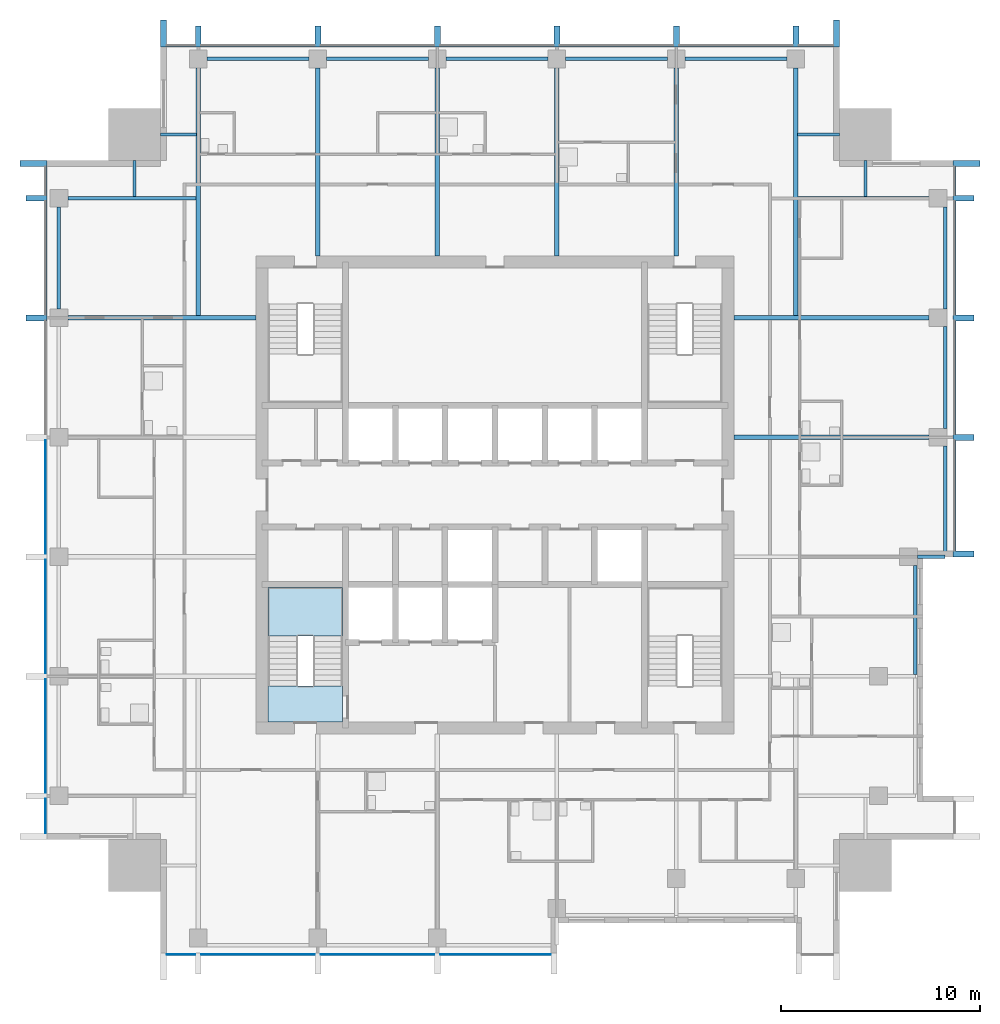
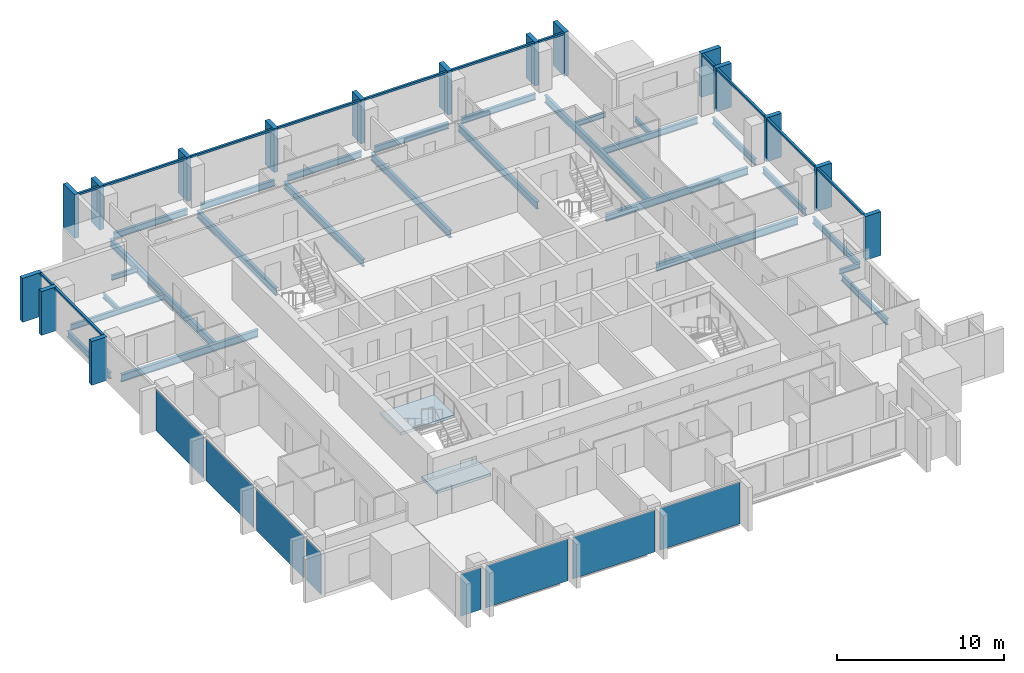
# One storey, part 2 of 10: 29 members, 26 beams, 8 plates, 2 slabs, 5 elements without a shape of their own.
"""IFC4 building model written with IfcOpenShell, lengths in metres."""

from ifc_helpers import new_model, si_unit, direction, frame, origin, origin_2d, place, context, subcontext, project, spatial, polyline, rectangle, i_section, outline, extrude, material, layer, layer_set, material_profile, profile_set, type_object, element, aggregate, save


model = new_model("IFC4")

# Units and contexts
model_context = context("Model", 3, precision=1e-05, world=origin(), true_north=direction((0.0, 1.0)))
body_context = subcontext(model_context, "Body", "Model", "MODEL_VIEW")
ifc_project = project(units=[si_unit("LENGTHUNIT", "METRE"), si_unit("AREAUNIT", "SQUARE_METRE"), si_unit("VOLUMEUNIT", "CUBIC_METRE"), si_unit("PLANEANGLEUNIT", "RADIAN"), si_unit("MASSUNIT", "GRAM", prefix="KILO")], contexts=[model_context])

# Site, building, storey
site_placement = place(None, origin())
site = spatial("IfcSite", under=ifc_project, at=site_placement, CompositionType="ELEMENT")
building_placement = place(site_placement, origin())
building = spatial("IfcBuilding", under=site, at=building_placement, Name="Amberfall Residences", CompositionType="ELEMENT")
storey_placement = place(building_placement, frame((0.0, 0.0, 226.60009765625)))
storey = spatial("IfcBuildingStorey", under=building, at=storey_placement, Name="L61", CompositionType="ELEMENT", Elevation=226.60009765625)

# Curtain wall, members
ifc_material_1 = material(Name="Bronze anodised aluminium and glass", Category="aluminium")
curtain_wall_type = type_object("IfcCurtainWallType", Name="Curtain wall CW1 tower unit", PredefinedType="USERDEFINED", material=ifc_material_1)
curtain_wall_1_placement = place(storey_placement, origin())
curtain_wall_1 = element("IfcCurtainWall", 1, at=curtain_wall_1_placement, inside=storey, type_object=curtain_wall_type, Name="Curtain wall L61 E E6", ObjectType="UNITISED CURTAIN WALL", PredefinedType="USERDEFINED")
ifc_material_2 = material(Name="Bronze anodised aluminium", Category="aluminium")
ifc_material_profile_1 = material_profile(ifc_material_2, rectangle(XDim=0.14990234375, YDim=0.14990234375, at=origin_2d()), Name="CW1 transom 150 x 150 bronze")
ifc_profile_set_1 = profile_set([ifc_material_profile_1], Name="Bronze anodised aluminium")
member_type_1 = type_object("IfcMemberType", Name="CW1 transom 150 x 150 bronze", PredefinedType="USERDEFINED", material=ifc_profile_set_1)
member_1_placement = place(storey_placement, frame((97.574951171875, 42.699951171875, 2.875), z_axis=(0.0, 1.0, 0.0), x_axis=(-1.0, 0.0, 0.0)))
member_1 = element("IfcMember", 2, at=member_1_placement, type_object=member_type_1, Name="CW1 transom 1.1", ObjectType="TRANSOM", PredefinedType="USERDEFINED", context=body_context, shape_type="SweptSolid", body=[
    extrude(rectangle(XDim=0.14990234375, YDim=0.14990234375, at=origin_2d()), origin(), (0.0, 0.0, 1.0), 5.550048828125),
])
member_2_placement = place(storey_placement, frame((97.574951171875, 48.550048828125, 2.875), z_axis=(0.0, 1.0, 0.0), x_axis=(-1.0, 0.0, 0.0)))
member_2 = element("IfcMember", 3, at=member_2_placement, type_object=member_type_1, Name="CW1 transom 2.1", ObjectType="TRANSOM", PredefinedType="USERDEFINED", context=body_context, shape_type="SweptSolid", body=[
    extrude(rectangle(XDim=0.14990234375, YDim=0.14990234375, at=origin_2d()), origin(), (0.0, 0.0, 1.0), 5.699951171875),
])
member_3_placement = place(storey_placement, frame((97.574951171875, 54.550048828125, 2.875), z_axis=(0.0, 1.0, 0.0), x_axis=(-1.0, 0.0, 0.0)))
member_3 = element("IfcMember", 4, at=member_3_placement, type_object=member_type_1, Name="CW1 transom 3.1", ObjectType="TRANSOM", PredefinedType="USERDEFINED", context=body_context, shape_type="SweptSolid", body=[
    extrude(rectangle(XDim=0.14990234375, YDim=0.14990234375, at=origin_2d()), origin(), (0.0, 0.0, 1.0), 5.699951171875),
])
member_4_placement = place(storey_placement, frame((97.574951171875, 60.550048828125, 2.875), z_axis=(0.0, 1.0, 0.0), x_axis=(-1.0, 0.0, 0.0)))
member_4 = element("IfcMember", 5, at=member_4_placement, type_object=member_type_1, Name="CW1 transom 4.1", ObjectType="TRANSOM", PredefinedType="USERDEFINED", context=body_context, shape_type="SweptSolid", body=[
    extrude(rectangle(XDim=0.14990234375, YDim=0.14990234375, at=origin_2d()), origin(), (0.0, 0.0, 1.0), 1.449951171875),
])

curtain_wall_2_placement = place(storey_placement, origin())
curtain_wall_2 = element("IfcCurtainWall", 6, at=curtain_wall_2_placement, inside=storey, type_object=curtain_wall_type, Name="Curtain wall L61 N N1", ObjectType="UNITISED CURTAIN WALL", PredefinedType="USERDEFINED")
member_5_placement = place(storey_placement, frame((91.5, 68.074951171875, 2.875), z_axis=(-1.0, 0.0, 0.0), x_axis=(0.0, -1.0, 0.0)))
member_5 = element("IfcMember", 7, at=member_5_placement, type_object=member_type_1, Name="CW1 transom 1.1", ObjectType="TRANSOM", PredefinedType="USERDEFINED", context=body_context, shape_type="SweptSolid", body=[
    extrude(rectangle(XDim=0.14990234375, YDim=0.14990234375, at=origin_2d()), origin(), (0.0, 0.0, 1.0), 1.75),
])
member_6_placement = place(storey_placement, frame((89.449951171875, 68.074951171875, 2.875), z_axis=(-1.0, 0.0, 0.0), x_axis=(0.0, -1.0, 0.0)))
member_6 = element("IfcMember", 8, at=member_6_placement, type_object=member_type_1, Name="CW1 transom 2.1", ObjectType="TRANSOM", PredefinedType="USERDEFINED", context=body_context, shape_type="SweptSolid", body=[
    extrude(rectangle(XDim=0.14990234375, YDim=0.14990234375, at=origin_2d()), origin(), (0.0, 0.0, 1.0), 5.699951171875),
])
member_7_placement = place(storey_placement, frame((83.449951171875, 68.074951171875, 2.875), z_axis=(-1.0, 0.0, 0.0), x_axis=(0.0, -1.0, 0.0)))
member_7 = element("IfcMember", 9, at=member_7_placement, type_object=member_type_1, Name="CW1 transom 3.1", ObjectType="TRANSOM", PredefinedType="USERDEFINED", context=body_context, shape_type="SweptSolid", body=[
    extrude(rectangle(XDim=0.14990234375, YDim=0.14990234375, at=origin_2d()), origin(), (0.0, 0.0, 1.0), 5.699951171875),
])
member_8_placement = place(storey_placement, frame((77.449951171875, 68.074951171875, 2.875), z_axis=(-1.0, 0.0, 0.0), x_axis=(0.0, -1.0, 0.0)))
member_8 = element("IfcMember", 10, at=member_8_placement, type_object=member_type_1, Name="CW1 transom 4.1", ObjectType="TRANSOM", PredefinedType="USERDEFINED", context=body_context, shape_type="SweptSolid", body=[
    extrude(rectangle(XDim=0.14990234375, YDim=0.14990234375, at=origin_2d()), origin(), (0.0, 0.0, 1.0), 5.699951171875),
])
member_9_placement = place(storey_placement, frame((71.449951171875, 68.074951171875, 2.875), z_axis=(-1.0, 0.0, 0.0), x_axis=(0.0, -1.0, 0.0)))
member_9 = element("IfcMember", 11, at=member_9_placement, type_object=member_type_1, Name="CW1 transom 5.1", ObjectType="TRANSOM", PredefinedType="USERDEFINED", context=body_context, shape_type="SweptSolid", body=[
    extrude(rectangle(XDim=0.14990234375, YDim=0.14990234375, at=origin_2d()), origin(), (0.0, 0.0, 1.0), 5.699951171875),
])
member_10_placement = place(storey_placement, frame((65.449951171875, 68.074951171875, 2.875), z_axis=(-1.0, 0.0, 0.0), x_axis=(0.0, -1.0, 0.0)))
member_10 = element("IfcMember", 12, at=member_10_placement, type_object=member_type_1, Name="CW1 transom 6.1", ObjectType="TRANSOM", PredefinedType="USERDEFINED", context=body_context, shape_type="SweptSolid", body=[
    extrude(rectangle(XDim=0.14990234375, YDim=0.14990234375, at=origin_2d()), origin(), (0.0, 0.0, 1.0), 5.699951171875),
])
member_11_placement = place(storey_placement, frame((59.449951171875, 68.074951171875, 2.875), z_axis=(-1.0, 0.0, 0.0), x_axis=(0.0, -1.0, 0.0)))
member_11 = element("IfcMember", 13, at=member_11_placement, type_object=member_type_1, Name="CW1 transom 7.1", ObjectType="TRANSOM", PredefinedType="USERDEFINED", context=body_context, shape_type="SweptSolid", body=[
    extrude(rectangle(XDim=0.14990234375, YDim=0.14990234375, at=origin_2d()), origin(), (0.0, 0.0, 1.0), 1.449951171875),
])

curtain_wall_3_placement = place(storey_placement, origin())
curtain_wall_3 = element("IfcCurtainWall", 14, at=curtain_wall_3_placement, inside=storey, type_object=curtain_wall_type, Name="Curtain wall L61 W W1", ObjectType="UNITISED CURTAIN WALL", PredefinedType="USERDEFINED")
member_12_placement = place(storey_placement, frame((51.925048828125, 62.0, 2.875), z_axis=(0.0, -1.0, 0.0), x_axis=(1.0, 0.0, 0.0)))
member_12 = element("IfcMember", 15, at=member_12_placement, type_object=member_type_1, Name="CW1 transom 1.1", ObjectType="TRANSOM", PredefinedType="USERDEFINED", context=body_context, shape_type="SweptSolid", body=[
    extrude(rectangle(XDim=0.14990234375, YDim=0.14990234375, at=origin_2d()), origin(), (0.0, 0.0, 1.0), 1.449951171875),
])
member_13_placement = place(storey_placement, frame((51.925048828125, 60.25, 2.875), z_axis=(0.0, -1.0, 0.0), x_axis=(1.0, 0.0, 0.0)))
member_13 = element("IfcMember", 16, at=member_13_placement, type_object=member_type_1, Name="CW1 transom 2.1", ObjectType="TRANSOM", PredefinedType="USERDEFINED", context=body_context, shape_type="SweptSolid", body=[
    extrude(rectangle(XDim=0.14990234375, YDim=0.14990234375, at=origin_2d()), origin(), (0.0, 0.0, 1.0), 5.699951171875),
])

# Beam
ifc_material_3 = material(Name="Steel S355", Category="steel")
ifc_material_profile_2 = material_profile(ifc_material_3, i_section(OverallWidth=0.171142578125, OverallDepth=0.351318359375, WebThickness=0.007080078125, FlangeThickness=0.009765625, FilletRadius=0.01025390625, at=origin_2d()), Name="UB 356x171x45")
ifc_profile_set_2 = profile_set([ifc_material_profile_2], Name="Steel S355")
beam_type_1 = type_object("IfcBeamType", Name="Cantilever girder UB 356x171x45", PredefinedType="BEAM", material=ifc_profile_set_2)
beam_1_placement = place(storey_placement, frame((95.699951171875, 42.39990234375, -0.42578125), z_axis=(1.0, 0.0, 0.0), x_axis=(0.0, 1.0, 0.0)))
element("IfcBeam", 17, at=beam_1_placement, inside=storey, type_object=beam_type_1, Name="Cantilever girder B8 L61 22", PredefinedType="BEAM", context=body_context, shape_type="SweptSolid", body=[
    extrude(i_section(OverallWidth=0.171142578125, OverallDepth=0.351318359375, WebThickness=0.007080078125, FlangeThickness=0.009765625, FilletRadius=0.01025390625, at=origin_2d()), origin(), (0.0, 0.0, 1.0), 1.400146484375),
])

# Member
ifc_material_profile_3 = material_profile(ifc_material_2, rectangle(XDim=1.35009765625, YDim=0.300048828125, at=origin_2d()), Name="Corner fin 300 x 1350 bronze")
ifc_profile_set_3 = profile_set([ifc_material_profile_3], Name="Bronze anodised aluminium")
member_type_2 = type_object("IfcMemberType", Name="Corner fin 300 x 1350 bronze", PredefinedType="MULLION", material=ifc_profile_set_3)
member_14_placement = place(storey_placement, frame((98.175048828125, 62.14990234375, -0.25), z_axis=(0.0, 0.0, 1.0), x_axis=(-1.0, 0.0, 0.0)))
member_14 = element("IfcMember", 18, at=member_14_placement, type_object=member_type_2, Name="CW FIN 5", PredefinedType="MULLION", context=body_context, shape_type="SweptSolid", body=[
    extrude(rectangle(XDim=1.35009765625, YDim=0.300048828125, at=origin_2d()), origin(), (0.0, 0.0, 1.0), 3.199951171875),
])

member_15_placement = place(storey_placement, frame((91.64990234375, 68.675048828125, -0.25), z_axis=(0.0, 0.0, 1.0), x_axis=(0.0, -1.0, 0.0)))
member_15 = element("IfcMember", 19, at=member_15_placement, type_object=member_type_2, Name="CW FIN 1", PredefinedType="MULLION", context=body_context, shape_type="SweptSolid", body=[
    extrude(rectangle(XDim=1.35009765625, YDim=0.300048828125, at=origin_2d()), origin(), (0.0, 0.0, 1.0), 3.199951171875),
])

member_16_placement = place(storey_placement, frame((57.85009765625, 68.675048828125, -0.25), z_axis=(0.0, 0.0, 1.0), x_axis=(0.0, -1.0, 0.0)))
member_16 = element("IfcMember", 20, at=member_16_placement, type_object=member_type_2, Name="CW FIN 8", PredefinedType="MULLION", context=body_context, shape_type="SweptSolid", body=[
    extrude(rectangle(XDim=1.35009765625, YDim=0.300048828125, at=origin_2d()), origin(), (0.0, 0.0, 1.0), 3.199951171875),
])

member_17_placement = place(storey_placement, frame((51.324951171875, 62.14990234375, -0.25), z_axis=(0.0, 0.0, 1.0), x_axis=(1.0, 0.0, 0.0)))
member_17 = element("IfcMember", 21, at=member_17_placement, type_object=member_type_2, Name="CW FIN 1", PredefinedType="MULLION", context=body_context, shape_type="SweptSolid", body=[
    extrude(rectangle(XDim=1.35009765625, YDim=0.300048828125, at=origin_2d()), origin(), (0.0, 0.0, 1.0), 3.199951171875),
])

# Beams
ifc_material_profile_4 = material_profile(ifc_material_3, i_section(OverallWidth=0.18994140625, OverallDepth=0.453369140625, WebThickness=0.008544921875, FlangeThickness=0.0126953125, FilletRadius=0.01025390625, at=origin_2d()), Name="UB 457x191x67")
ifc_profile_set_4 = profile_set([ifc_material_profile_4], Name="Steel S355")
beam_type_2 = type_object("IfcBeamType", Name="Edge beam UB 457x191x67", PredefinedType="SPANDREL", material=ifc_profile_set_4)
for number, where, z_axis, x_axis, name in (
    (22, (95.60009765625, 36.47998046875, -0.476806640625), (0.0, 1.0, 0.0), (-1.0, 0.0, 0.0), "Edge beam B1 L61 16"),
    (23, (97.10009765625, 42.47998046875, -0.476806640625), (0.0, 1.0, 0.0), (-1.0, 0.0, 0.0), "Edge beam B1 L61 17"),
):
    element("IfcBeam", number, at=place(storey_placement, frame(where, z_axis=z_axis, x_axis=x_axis)), inside=storey, type_object=beam_type_2, Name=name, PredefinedType="SPANDREL", context=body_context, shape_type="SweptSolid", body=[
        extrude(i_section(OverallWidth=0.18994140625, OverallDepth=0.453369140625, WebThickness=0.008544921875, FlangeThickness=0.0126953125, FilletRadius=0.01025390625, at=origin_2d()), origin(), (0.0, 0.0, 1.0), 5.469970703125),
    ])
for number, where, z_axis, x_axis, name in (
    (24, (97.10009765625, 48.85009765625, -0.476806640625), (0.0, 1.0, 0.0), (-1.0, 0.0, 0.0), "Edge beam B1 L61 18"),
    (25, (97.10009765625, 54.85009765625, -0.476806640625), (0.0, 1.0, 0.0), (-1.0, 0.0, 0.0), "Edge beam B1 L61 19"),
    (26, (60.050048828125, 67.39990234375, -0.476806640625), (1.0, 0.0, 0.0), (0.0, 1.0, 0.0), "Edge beam B1 L61 29"),
    (27, (66.050048828125, 67.39990234375, -0.476806640625), (1.0, 0.0, 0.0), (0.0, 1.0, 0.0), "Edge beam B1 L61 30"),
    (28, (72.050048828125, 67.39990234375, -0.476806640625), (1.0, 0.0, 0.0), (0.0, 1.0, 0.0), "Edge beam B1 L61 31"),
    (29, (78.050048828125, 67.39990234375, -0.476806640625), (1.0, 0.0, 0.0), (0.0, 1.0, 0.0), "Edge beam B1 L61 32"),
    (30, (84.050048828125, 67.39990234375, -0.476806640625), (1.0, 0.0, 0.0), (0.0, 1.0, 0.0), "Edge beam B1 L61 33"),
    (31, (52.60009765625, 54.85009765625, -0.476806640625), (0.0, 1.0, 0.0), (-1.0, 0.0, 0.0), "Edge beam B1 L61 44"),
):
    element("IfcBeam", number, at=place(storey_placement, frame(where, z_axis=z_axis, x_axis=x_axis)), inside=storey, type_object=beam_type_2, Name=name, PredefinedType="SPANDREL", context=body_context, shape_type="SweptSolid", body=[
        extrude(i_section(OverallWidth=0.18994140625, OverallDepth=0.453369140625, WebThickness=0.008544921875, FlangeThickness=0.0126953125, FilletRadius=0.01025390625, at=origin_2d()), origin(), (0.0, 0.0, 1.0), 5.099853515625),
    ])

# Member
ifc_material_profile_5 = material_profile(ifc_material_2, rectangle(XDim=1.050048828125, YDim=0.300048828125, at=origin_2d()), Name="Fin 300 x 1050 bronze")
ifc_profile_set_5 = profile_set([ifc_material_profile_5], Name="Bronze anodised aluminium")
member_type_3 = type_object("IfcMemberType", Name="Fin 300 x 1050 bronze", PredefinedType="MULLION", material=ifc_profile_set_5)
member_18_placement = place(storey_placement, frame((98.02490234375, 42.550048828125, -0.25), z_axis=(0.0, 0.0, 1.0), x_axis=(-1.0, 0.0, 0.0)))
member_18 = element("IfcMember", 32, at=member_18_placement, type_object=member_type_3, Name="CW FIN 1", PredefinedType="MULLION", context=body_context, shape_type="SweptSolid", body=[
    extrude(rectangle(XDim=1.050048828125, YDim=0.300048828125, at=origin_2d()), origin(), (0.0, 0.0, 1.0), 3.199951171875),
])

member_19_placement = place(storey_placement, frame((98.02490234375, 48.39990234375, -0.25), z_axis=(0.0, 0.0, 1.0), x_axis=(-1.0, 0.0, 0.0)))
member_19 = element("IfcMember", 33, at=member_19_placement, type_object=member_type_3, Name="CW FIN 2", PredefinedType="MULLION", context=body_context, shape_type="SweptSolid", body=[
    extrude(rectangle(XDim=1.050048828125, YDim=0.300048828125, at=origin_2d()), origin(), (0.0, 0.0, 1.0), 3.199951171875),
])

member_20_placement = place(storey_placement, frame((98.02490234375, 54.39990234375, -0.25), z_axis=(0.0, 0.0, 1.0), x_axis=(-1.0, 0.0, 0.0)))
member_20 = element("IfcMember", 34, at=member_20_placement, type_object=member_type_3, Name="CW FIN 3", PredefinedType="MULLION", context=body_context, shape_type="SweptSolid", body=[
    extrude(rectangle(XDim=1.050048828125, YDim=0.300048828125, at=origin_2d()), origin(), (0.0, 0.0, 1.0), 3.199951171875),
])

member_21_placement = place(storey_placement, frame((98.02490234375, 60.39990234375, -0.25), z_axis=(0.0, 0.0, 1.0), x_axis=(-1.0, 0.0, 0.0)))
member_21 = element("IfcMember", 35, at=member_21_placement, type_object=member_type_3, Name="CW FIN 4", PredefinedType="MULLION", context=body_context, shape_type="SweptSolid", body=[
    extrude(rectangle(XDim=1.050048828125, YDim=0.300048828125, at=origin_2d()), origin(), (0.0, 0.0, 1.0), 3.199951171875),
])

aggregate(curtain_wall_1, [member_18, member_19, member_20, member_21, member_14, member_1, member_2, member_3, member_4])

member_22_placement = place(storey_placement, frame((89.60009765625, 68.52490234375, -0.25), z_axis=(0.0, 0.0, 1.0), x_axis=(0.0, -1.0, 0.0)))
member_22 = element("IfcMember", 36, at=member_22_placement, type_object=member_type_3, Name="CW FIN 2", PredefinedType="MULLION", context=body_context, shape_type="SweptSolid", body=[
    extrude(rectangle(XDim=1.050048828125, YDim=0.300048828125, at=origin_2d()), origin(), (0.0, 0.0, 1.0), 3.199951171875),
])

member_23_placement = place(storey_placement, frame((83.60009765625, 68.52490234375, -0.25), z_axis=(0.0, 0.0, 1.0), x_axis=(0.0, -1.0, 0.0)))
member_23 = element("IfcMember", 37, at=member_23_placement, type_object=member_type_3, Name="CW FIN 3", PredefinedType="MULLION", context=body_context, shape_type="SweptSolid", body=[
    extrude(rectangle(XDim=1.050048828125, YDim=0.300048828125, at=origin_2d()), origin(), (0.0, 0.0, 1.0), 3.199951171875),
])

member_24_placement = place(storey_placement, frame((77.60009765625, 68.52490234375, -0.25), z_axis=(0.0, 0.0, 1.0), x_axis=(0.0, -1.0, 0.0)))
member_24 = element("IfcMember", 38, at=member_24_placement, type_object=member_type_3, Name="CW FIN 4", PredefinedType="MULLION", context=body_context, shape_type="SweptSolid", body=[
    extrude(rectangle(XDim=1.050048828125, YDim=0.300048828125, at=origin_2d()), origin(), (0.0, 0.0, 1.0), 3.199951171875),
])

member_25_placement = place(storey_placement, frame((71.60009765625, 68.52490234375, -0.25), z_axis=(0.0, 0.0, 1.0), x_axis=(0.0, -1.0, 0.0)))
member_25 = element("IfcMember", 39, at=member_25_placement, type_object=member_type_3, Name="CW FIN 5", PredefinedType="MULLION", context=body_context, shape_type="SweptSolid", body=[
    extrude(rectangle(XDim=1.050048828125, YDim=0.300048828125, at=origin_2d()), origin(), (0.0, 0.0, 1.0), 3.199951171875),
])

member_26_placement = place(storey_placement, frame((65.60009765625, 68.52490234375, -0.25), z_axis=(0.0, 0.0, 1.0), x_axis=(0.0, -1.0, 0.0)))
member_26 = element("IfcMember", 40, at=member_26_placement, type_object=member_type_3, Name="CW FIN 6", PredefinedType="MULLION", context=body_context, shape_type="SweptSolid", body=[
    extrude(rectangle(XDim=1.050048828125, YDim=0.300048828125, at=origin_2d()), origin(), (0.0, 0.0, 1.0), 3.199951171875),
])

member_27_placement = place(storey_placement, frame((59.60009765625, 68.52490234375, -0.25), z_axis=(0.0, 0.0, 1.0), x_axis=(0.0, -1.0, 0.0)))
member_27 = element("IfcMember", 41, at=member_27_placement, type_object=member_type_3, Name="CW FIN 7", PredefinedType="MULLION", context=body_context, shape_type="SweptSolid", body=[
    extrude(rectangle(XDim=1.050048828125, YDim=0.300048828125, at=origin_2d()), origin(), (0.0, 0.0, 1.0), 3.199951171875),
])

aggregate(curtain_wall_2, [member_15, member_22, member_23, member_24, member_25, member_26, member_27, member_16, member_5, member_6, member_7, member_8, member_9, member_10, member_11])

member_28_placement = place(storey_placement, frame((51.47509765625, 60.39990234375, -0.25), z_axis=(0.0, 0.0, 1.0), x_axis=(1.0, 0.0, 0.0)))
member_28 = element("IfcMember", 42, at=member_28_placement, type_object=member_type_3, Name="CW FIN 2", PredefinedType="MULLION", context=body_context, shape_type="SweptSolid", body=[
    extrude(rectangle(XDim=1.050048828125, YDim=0.300048828125, at=origin_2d()), origin(), (0.0, 0.0, 1.0), 3.199951171875),
])

member_29_placement = place(storey_placement, frame((51.47509765625, 54.39990234375, -0.25), z_axis=(0.0, 0.0, 1.0), x_axis=(1.0, 0.0, 0.0)))
member_29 = element("IfcMember", 43, at=member_29_placement, type_object=member_type_3, Name="CW FIN 3", PredefinedType="MULLION", context=body_context, shape_type="SweptSolid", body=[
    extrude(rectangle(XDim=1.050048828125, YDim=0.300048828125, at=origin_2d()), origin(), (0.0, 0.0, 1.0), 3.199951171875),
])

# Beams
ifc_material_profile_6 = material_profile(ifc_material_3, i_section(OverallWidth=0.177734375, OverallDepth=0.402587890625, WebThickness=0.0078125, FlangeThickness=0.010986328125, FilletRadius=0.01025390625, at=origin_2d()), Name="UB 406x178x54")
ifc_profile_set_6 = profile_set([ifc_material_profile_6], Name="Steel S355")
beam_type_3 = type_object("IfcBeamType", Name="Floor girder UB 406x178x54", PredefinedType="BEAM", material=ifc_profile_set_6)
beam_2_placement = place(storey_placement, frame((53.050048828125, 60.39990234375, -0.451416015625), z_axis=(1.0, 0.0, 0.0), x_axis=(0.0, 1.0, 0.0)))
element("IfcBeam", 44, at=beam_2_placement, inside=storey, type_object=beam_type_3, Name="Floor girder B4 L61 50", PredefinedType="BEAM", context=body_context, shape_type="SweptSolid", body=[
    extrude(i_section(OverallWidth=0.177734375, OverallDepth=0.402587890625, WebThickness=0.0078125, FlangeThickness=0.010986328125, FilletRadius=0.01025390625, at=origin_2d()), origin(), (0.0, 0.0, 1.0), 6.429931640625),
])
ifc_material_profile_7 = material_profile(ifc_material_3, i_section(OverallWidth=0.19140625, OverallDepth=0.4599609375, WebThickness=0.010009765625, FlangeThickness=0.01611328125, FilletRadius=0.01025390625, at=origin_2d()), Name="UB 457x191x82")
ifc_profile_set_7 = profile_set([ifc_material_profile_7], Name="Steel S355")
beam_type_4 = type_object("IfcBeamType", Name="Floor girder UB 457x191x82", PredefinedType="BEAM", material=ifc_profile_set_7)
beam_3_placement = place(storey_placement, frame((96.300048828125, 60.39990234375, -0.47998046875), z_axis=(-1.0, 0.0, 0.0), x_axis=(0.0, -1.0, 0.0)))
element("IfcBeam", 45, at=beam_3_placement, inside=storey, type_object=beam_type_4, Name="Floor girder B10 L61 28", PredefinedType="BEAM", context=body_context, shape_type="SweptSolid", body=[
    extrude(i_section(OverallWidth=0.19140625, OverallDepth=0.4599609375, WebThickness=0.010009765625, FlangeThickness=0.01611328125, FilletRadius=0.01025390625, at=origin_2d()), origin(), (0.0, 0.0, 1.0), 6.580078125),
])
ifc_material_profile_8 = material_profile(ifc_material_3, i_section(OverallWidth=0.210693359375, OverallDepth=0.53955078125, WebThickness=0.01171875, FlangeThickness=0.018798828125, FilletRadius=0.0126953125, at=origin_2d()), Name="UB 533x210x109")
ifc_profile_set_8 = profile_set([ifc_material_profile_8], Name="Steel S355")
beam_type_5 = type_object("IfcBeamType", Name="Floor girder UB 533x210x109", PredefinedType="BEAM", material=ifc_profile_set_8)
for number, where, z_axis, x_axis, name in (
    (46, (59.60009765625, 66.949951171875, -0.519775390625), (0.0, -1.0, 0.0), (1.0, 0.0, 0.0), "Floor girder B2 L61 34"),
    (47, (89.60009765625, 66.949951171875, -0.519775390625), (0.0, -1.0, 0.0), (1.0, 0.0, 0.0), "Floor girder B2 L61 39"),
):
    element("IfcBeam", number, at=place(storey_placement, frame(where, z_axis=z_axis, x_axis=x_axis)), inside=storey, type_object=beam_type_5, Name=name, PredefinedType="BEAM", context=body_context, shape_type="SweptSolid", body=[
        extrude(i_section(OverallWidth=0.210693359375, OverallDepth=0.53955078125, WebThickness=0.01171875, FlangeThickness=0.018798828125, FilletRadius=0.0126953125, at=origin_2d()), origin(), (0.0, 0.0, 1.0), 12.450439453125),
    ])
ifc_material_profile_9 = material_profile(ifc_material_3, i_section(OverallWidth=0.209228515625, OverallDepth=0.533203125, WebThickness=0.010009765625, FlangeThickness=0.015625, FilletRadius=0.0126953125, at=origin_2d()), Name="UB 533x210x92")
ifc_profile_set_9 = profile_set([ifc_material_profile_9], Name="Steel S355")
beam_type_6 = type_object("IfcBeamType", Name="Floor girder UB 533x210x92", PredefinedType="BEAM", material=ifc_profile_set_9)
for number, where, z_axis, x_axis, name in (
    (48, (96.300048828125, 48.39990234375, -0.5166015625), (-1.0, 0.0, 0.0), (0.0, -1.0, 0.0), "Floor girder B3 L61 26"),
    (49, (96.300048828125, 54.39990234375, -0.5166015625), (-1.0, 0.0, 0.0), (0.0, -1.0, 0.0), "Floor girder B3 L61 27"),
):
    element("IfcBeam", number, at=place(storey_placement, frame(where, z_axis=z_axis, x_axis=x_axis)), inside=storey, type_object=beam_type_6, Name=name, PredefinedType="BEAM", context=body_context, shape_type="SweptSolid", body=[
        extrude(i_section(OverallWidth=0.209228515625, OverallDepth=0.533203125, WebThickness=0.010009765625, FlangeThickness=0.015625, FilletRadius=0.0126953125, at=origin_2d()), origin(), (0.0, 0.0, 1.0), 9.800048828125),
    ])
for number, where, z_axis, x_axis, name in (
    (50, (65.60009765625, 66.949951171875, -0.5166015625), (0.0, -1.0, 0.0), (1.0, 0.0, 0.0), "Floor girder B3 L61 35"),
    (51, (71.60009765625, 66.949951171875, -0.5166015625), (0.0, -1.0, 0.0), (1.0, 0.0, 0.0), "Floor girder B3 L61 36"),
    (52, (77.60009765625, 66.949951171875, -0.5166015625), (0.0, -1.0, 0.0), (1.0, 0.0, 0.0), "Floor girder B3 L61 37"),
    (53, (83.60009765625, 66.949951171875, -0.5166015625), (0.0, -1.0, 0.0), (1.0, 0.0, 0.0), "Floor girder B3 L61 38"),
    (54, (53.050048828125, 54.39990234375, -0.5166015625), (1.0, 0.0, 0.0), (0.0, 1.0, 0.0), "Floor girder B3 L61 49"),
):
    element("IfcBeam", number, at=place(storey_placement, frame(where, z_axis=z_axis, x_axis=x_axis)), inside=storey, type_object=beam_type_6, Name=name, PredefinedType="BEAM", context=body_context, shape_type="SweptSolid", body=[
        extrude(i_section(OverallWidth=0.209228515625, OverallDepth=0.533203125, WebThickness=0.010009765625, FlangeThickness=0.015625, FilletRadius=0.0126953125, at=origin_2d()), origin(), (0.0, 0.0, 1.0), 9.449951171875),
    ])
ifc_material_profile_10 = material_profile(ifc_material_3, i_section(OverallWidth=0.171142578125, OverallDepth=0.351318359375, WebThickness=0.007080078125, FlangeThickness=0.009765625, FilletRadius=0.01025390625, at=origin_2d()), Name="UB 356x171x45")
ifc_profile_set_10 = profile_set([ifc_material_profile_10], Name="Steel S355")
beam_type_7 = type_object("IfcBeamType", Name="Link beam UB 356x171x45", PredefinedType="BEAM", material=ifc_profile_set_10)
beam_4_placement = place(storey_placement, frame((91.800048828125, 63.60009765625, -0.42578125), z_axis=(-1.0, 0.0, 0.0), x_axis=(0.0, -1.0, 0.0)))
element("IfcBeam", 55, at=beam_4_placement, inside=storey, type_object=beam_type_7, Name="Link beam B7 L61 55", PredefinedType="BEAM", context=body_context, shape_type="SweptSolid", body=[
    extrude(i_section(OverallWidth=0.171142578125, OverallDepth=0.351318359375, WebThickness=0.007080078125, FlangeThickness=0.009765625, FilletRadius=0.01025390625, at=origin_2d()), origin(), (0.0, 0.0, 1.0), 2.104736328125),
])
beam_5_placement = place(storey_placement, frame((93.10009765625, 62.300048828125, -0.42578125), z_axis=(0.0, -1.0, 0.0), x_axis=(1.0, 0.0, 0.0)))
element("IfcBeam", 56, at=beam_5_placement, inside=storey, type_object=beam_type_7, Name="Link beam B7 L61 56", PredefinedType="BEAM", context=body_context, shape_type="SweptSolid", body=[
    extrude(i_section(OverallWidth=0.171142578125, OverallDepth=0.351318359375, WebThickness=0.007080078125, FlangeThickness=0.009765625, FilletRadius=0.01025390625, at=origin_2d()), origin(), (0.0, 0.0, 1.0), 1.814453125),
])
beam_6_placement = place(storey_placement, frame((57.699951171875, 63.60009765625, -0.42578125), z_axis=(1.0, 0.0, 0.0), x_axis=(0.0, 1.0, 0.0)))
element("IfcBeam", 57, at=beam_6_placement, inside=storey, type_object=beam_type_7, Name="Link beam B7 L61 57", PredefinedType="BEAM", context=body_context, shape_type="SweptSolid", body=[
    extrude(i_section(OverallWidth=0.171142578125, OverallDepth=0.351318359375, WebThickness=0.007080078125, FlangeThickness=0.009765625, FilletRadius=0.01025390625, at=origin_2d()), origin(), (0.0, 0.0, 1.0), 1.8046875),
])
beam_7_placement = place(storey_placement, frame((56.39990234375, 62.300048828125, -0.42578125), z_axis=(0.0, -1.0, 0.0), x_axis=(1.0, 0.0, 0.0)))
element("IfcBeam", 58, at=beam_7_placement, inside=storey, type_object=beam_type_7, Name="Link beam B7 L61 58", PredefinedType="BEAM", context=body_context, shape_type="SweptSolid", body=[
    extrude(i_section(OverallWidth=0.171142578125, OverallDepth=0.351318359375, WebThickness=0.007080078125, FlangeThickness=0.009765625, FilletRadius=0.01025390625, at=origin_2d()), origin(), (0.0, 0.0, 1.0), 1.821044921875),
])

# Curtain wall, plates
curtain_wall_4_placement = place(storey_placement, origin())
curtain_wall_4 = element("IfcCurtainWall", 59, at=curtain_wall_4_placement, inside=storey, type_object=curtain_wall_type, Name="Curtain wall L61 S S1", ObjectType="UNITISED CURTAIN WALL", PredefinedType="USERDEFINED")
ifc_material_4 = material(Name="Tinted double glazed unit", Category="glass")
ifc_layer_1 = layer(ifc_material_4, 0.035888671875)
ifc_layer_set_1 = layer_set([ifc_layer_1], Name="CW1 panel 36 glazing")
plate_type = type_object("IfcPlateType", Name="CW1 panel 36 glazing", PredefinedType="CURTAIN_PANEL", material=ifc_layer_set_1)
plate_1_placement = place(storey_placement, frame((58.72509765625, 22.425048828125, -0.25), z_axis=(0.0, 0.0, 1.0), x_axis=(1.0, 0.0, 0.0)))
plate_1 = element("IfcPlate", 60, at=plate_1_placement, type_object=plate_type, Name="CW1 panel 1.1", PredefinedType="CURTAIN_PANEL", context=body_context, shape_type="SweptSolid", body=[
    extrude(rectangle(XDim=1.426025390625, YDim=0.035888671875, at=origin_2d()), origin(), (0.0, 0.0, 1.0), 3.050048828125),
])
plate_2_placement = place(storey_placement, frame((62.60009765625, 22.425048828125, -0.25), z_axis=(0.0, 0.0, 1.0), x_axis=(1.0, 0.0, 0.0)))
plate_2 = element("IfcPlate", 61, at=plate_2_placement, type_object=plate_type, Name="CW1 panel 2.1", PredefinedType="CURTAIN_PANEL", context=body_context, shape_type="SweptSolid", body=[
    extrude(rectangle(XDim=5.676025390625, YDim=0.035888671875, at=origin_2d()), origin(), (0.0, 0.0, 1.0), 3.050048828125),
])
plate_3_placement = place(storey_placement, frame((68.60009765625, 22.425048828125, -0.25), z_axis=(0.0, 0.0, 1.0), x_axis=(1.0, 0.0, 0.0)))
plate_3 = element("IfcPlate", 62, at=plate_3_placement, type_object=plate_type, Name="CW1 panel 3.1", PredefinedType="CURTAIN_PANEL", context=body_context, shape_type="SweptSolid", body=[
    extrude(rectangle(XDim=5.676025390625, YDim=0.035888671875, at=origin_2d()), origin(), (0.0, 0.0, 1.0), 3.050048828125),
])
plate_4_placement = place(storey_placement, frame((74.52490234375, 22.425048828125, -0.25), z_axis=(0.0, 0.0, 1.0), x_axis=(1.0, 0.0, 0.0)))
plate_4 = element("IfcPlate", 63, at=plate_4_placement, type_object=plate_type, Name="CW1 panel 4.1", PredefinedType="CURTAIN_PANEL", context=body_context, shape_type="SweptSolid", body=[
    extrude(rectangle(XDim=5.52587890625, YDim=0.035888671875, at=origin_2d()), origin(), (0.0, 0.0, 1.0), 3.050048828125),
])
aggregate(curtain_wall_4, [plate_1, plate_2, plate_3, plate_4])

# Plate
plate_5_placement = place(storey_placement, frame((51.925048828125, 45.39990234375, -0.25), z_axis=(0.0, 0.0, 1.0), x_axis=(0.0, -1.0, 0.0)))
plate_5 = element("IfcPlate", 64, at=plate_5_placement, type_object=plate_type, Name="CW1 panel 4.1", PredefinedType="CURTAIN_PANEL", context=body_context, shape_type="SweptSolid", body=[
    extrude(rectangle(XDim=5.676025390625, YDim=0.035888671875, at=origin_2d()), origin(), (0.0, 0.0, 1.0), 3.050048828125),
])

plate_6_placement = place(storey_placement, frame((51.925048828125, 39.39990234375, -0.25), z_axis=(0.0, 0.0, 1.0), x_axis=(0.0, -1.0, 0.0)))
plate_6 = element("IfcPlate", 65, at=plate_6_placement, type_object=plate_type, Name="CW1 panel 5.1", PredefinedType="CURTAIN_PANEL", context=body_context, shape_type="SweptSolid", body=[
    extrude(rectangle(XDim=5.676025390625, YDim=0.035888671875, at=origin_2d()), origin(), (0.0, 0.0, 1.0), 3.050048828125),
])

plate_7_placement = place(storey_placement, frame((51.925048828125, 33.39990234375, -0.25), z_axis=(0.0, 0.0, 1.0), x_axis=(0.0, -1.0, 0.0)))
plate_7 = element("IfcPlate", 66, at=plate_7_placement, type_object=plate_type, Name="CW1 panel 6.1", PredefinedType="CURTAIN_PANEL", context=body_context, shape_type="SweptSolid", body=[
    extrude(rectangle(XDim=5.676025390625, YDim=0.035888671875, at=origin_2d()), origin(), (0.0, 0.0, 1.0), 3.050048828125),
])

plate_8_placement = place(storey_placement, frame((51.925048828125, 29.375, -0.25), z_axis=(0.0, 0.0, 1.0), x_axis=(0.0, -1.0, 0.0)))
plate_8 = element("IfcPlate", 67, at=plate_8_placement, type_object=plate_type, Name="CW1 panel 7.1", PredefinedType="CURTAIN_PANEL", context=body_context, shape_type="SweptSolid", body=[
    extrude(rectangle(XDim=1.72607421875, YDim=0.035888671875, at=origin_2d()), origin(), (0.0, 0.0, 1.0), 3.050048828125),
])

aggregate(curtain_wall_3, [member_17, member_28, member_29, member_12, member_13, plate_5, plate_6, plate_7, plate_8])

# Stair, slabs
ifc_material_5 = material(Name="Concrete C40", Category="concrete")
stair_type = type_object("IfcStairType", Name="Exit stair 20 risers 165.0 mm", PredefinedType="HALF_TURN_STAIR", material=ifc_material_5)
stair_placement = place(storey_placement, origin())
stair = element("IfcStair", 68, at=stair_placement, inside=storey, type_object=stair_type, Name="L61 Exit stair 1", PredefinedType="HALF_TURN_STAIR")
ifc_layer_2 = layer(ifc_material_5, 0.199951171875)
ifc_layer_set_2 = layer_set([ifc_layer_2], Name="Stair landing 200")
slab_type = type_object("IfcSlabType", Name="Stair landing 200", PredefinedType="LANDING", material=ifc_layer_set_2)
slab_1_placement = place(storey_placement, frame((0.0, 0.0, 1.449951171875)))
slab_1 = element("IfcSlab", 69, at=slab_1_placement, type_object=slab_type, Name="ST3 landing 1", PredefinedType="LANDING", context=body_context, shape_type="SweptSolid", body=[
    extrude(outline(polyline([(66.85009765625, 38.419921875), (66.85009765625, 40.85009765625), (63.10009765625, 40.85009765625), (63.10009765625, 38.419921875), (66.85009765625, 38.419921875)])), origin(), (0.0, 0.0, 1.0), 0.199951171875),
])
slab_2_placement = place(storey_placement, frame((0.0, 0.0, -0.2001953125)))
slab_2 = element("IfcSlab", 70, at=slab_2_placement, type_object=slab_type, Name="ST3 landing 2", PredefinedType="LANDING", context=body_context, shape_type="SweptSolid", body=[
    extrude(outline(polyline([(66.85009765625, 34.10009765625), (66.85009765625, 35.89990234375), (63.10009765625, 35.89990234375), (63.10009765625, 34.10009765625), (66.85009765625, 34.10009765625)])), origin(), (0.0, 0.0, 1.0), 0.2001953125),
])
aggregate(stair, [slab_1, slab_2])

save(model, "model.ifc")
